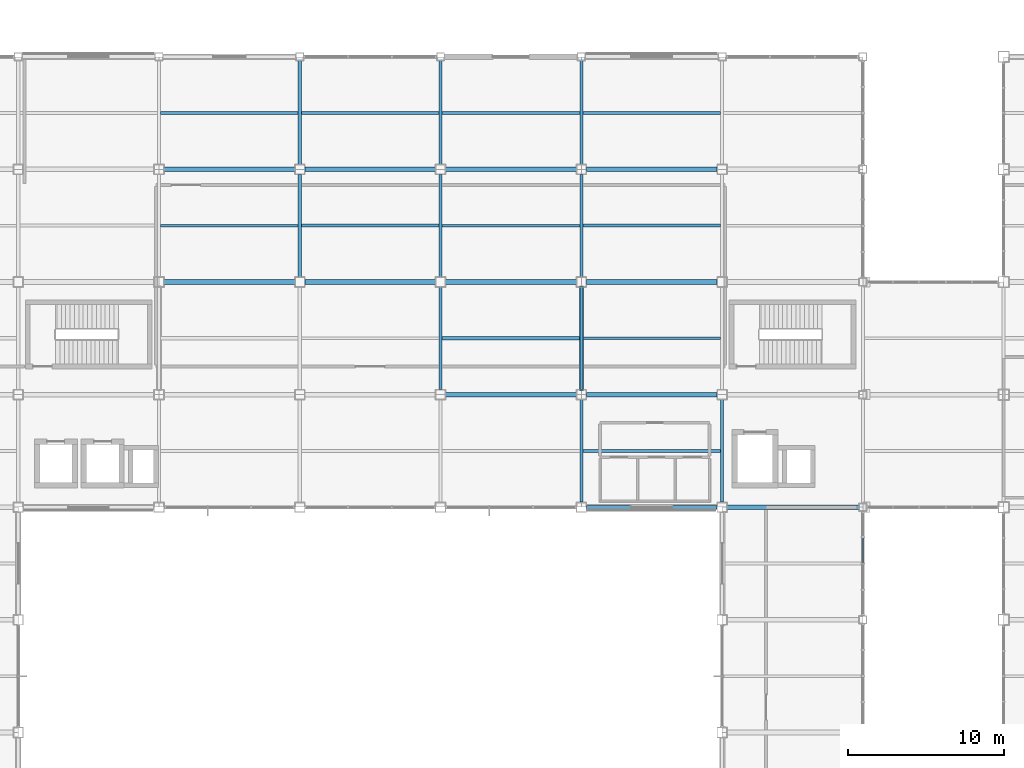
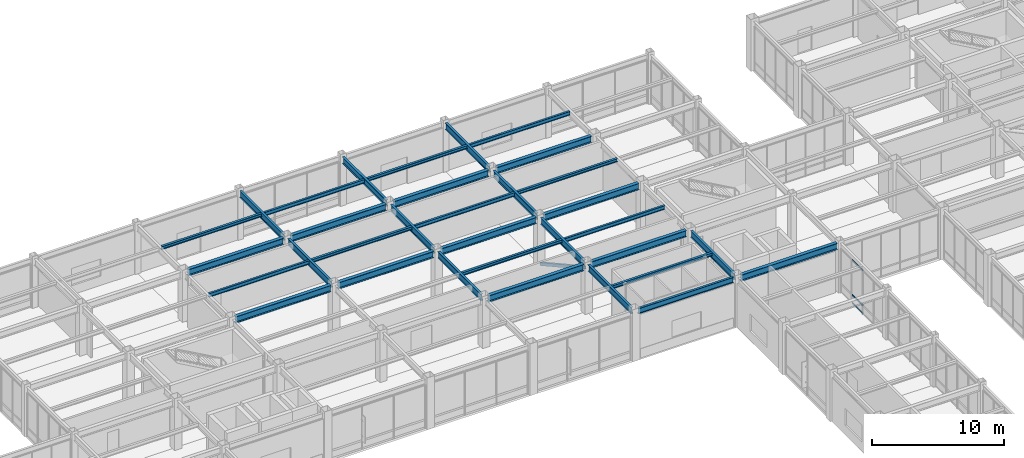
# One storey, part 61 of 112: 33 beams, 4 members, 1 element without a shape of its own.
"""IFC4 building model written with IfcOpenShell, lengths in metres."""

from ifc_helpers import new_model, si_unit, direction, frame, origin, origin_2d, place, context, subcontext, project, spatial, hollow_rectangle, i_section, extrude, material, material_profile, profile_set, type_object, element, aggregate, save


model = new_model("IFC4")

# Units and contexts
model_context = context("Model", 3, precision=1e-05, world=origin(), true_north=direction((0.0, 1.0)))
body_context = subcontext(model_context, "Body", "Model", "MODEL_VIEW")
ifc_project = project(units=[si_unit("LENGTHUNIT", "METRE"), si_unit("AREAUNIT", "SQUARE_METRE"), si_unit("VOLUMEUNIT", "CUBIC_METRE"), si_unit("PLANEANGLEUNIT", "RADIAN"), si_unit("MASSUNIT", "GRAM", prefix="KILO")], contexts=[model_context])

# Site, building, storey
site_placement = place(None, origin())
site = spatial("IfcSite", under=ifc_project, at=site_placement, CompositionType="ELEMENT")
building_placement = place(site_placement, origin())
building = spatial("IfcBuilding", under=site, at=building_placement, Name="Kazanami Central Library", CompositionType="ELEMENT")
storey_placement = place(building_placement, origin())
storey = spatial("IfcBuildingStorey", under=building, at=storey_placement, Name="L01", CompositionType="ELEMENT", Elevation=0.0)

# Beams
ifc_material_1 = material(Name="Steel SN400B (235 MPa)", Category="steel")
ifc_material_profile_1 = material_profile(ifc_material_1, i_section(OverallWidth=0.175048828125, OverallDepth=0.35009765625, WebThickness=0.007080078125, FlangeThickness=0.010986328125, at=origin_2d()), Name="H-350x175x7x11")
ifc_profile_set_1 = profile_set([ifc_material_profile_1], Name="Steel SN400B (235 MPa)")
beam_type_1 = type_object("IfcBeamType", Name="BM-B-S2", PredefinedType="JOIST", material=ifc_profile_set_1)
for number, where, z_axis, x_axis, name in (
    (1, (63.097900390625, 82.800048828125, 4.3798828125), (1.0, 0.0, 0.0), (0.0, 1.0, 0.0), "Composite Secondary Joist B-S2 L01 Bay 8/M.1"),
    (2, (72.097900390625, 90.0, 4.3798828125), (1.0, 0.0, 0.0), (0.0, 1.0, 0.0), "Composite Secondary Joist B-S2 L01 Bay 9/N.1"),
    (3, (81.097900390625, 82.800048828125, 4.3798828125), (1.0, 0.0, 0.0), (0.0, 1.0, 0.0), "Composite Secondary Joist B-S2 L01 Bay 10/M.1"),
    (4, (90.097900390625, 75.60009765625, 4.3798828125), (1.0, 0.0, 0.0), (0.0, 1.0, 0.0), "Composite Secondary Joist B-S2 L01 Bay 11/L.1"),
    (5, (90.097900390625, 90.0, 4.3798828125), (1.0, 0.0, 0.0), (0.0, 1.0, 0.0), "Composite Secondary Joist B-S2 L01 Bay 11/N.1"),
):
    element("IfcBeam", number, at=place(storey_placement, frame(where, z_axis=z_axis, x_axis=x_axis)), inside=storey, type_object=beam_type_1, Name=name, PredefinedType="JOIST", context=body_context, shape_type="SweptSolid", body=[
        extrude(i_section(OverallWidth=0.175048828125, OverallDepth=0.35009765625, WebThickness=0.007080078125, FlangeThickness=0.010986328125, at=origin_2d()), origin(), (0.0, 0.0, 1.0), 8.80419921875),
    ])
ifc_material_profile_2 = material_profile(ifc_material_1, i_section(OverallWidth=0.199951171875, OverallDepth=0.2939453125, WebThickness=0.008056640625, FlangeThickness=0.011962890625, at=origin_2d()), Name="H-294x200x8x12")
ifc_profile_set_2 = profile_set([ifc_material_profile_2], Name="Steel SN400B (235 MPa)")
beam_type_2 = type_object("IfcBeamType", Name="BM-B-S5", PredefinedType="JOIST", material=ifc_profile_set_2)
for number, where, z_axis, x_axis, name in (
    (6, (63.097900390625, 90.0, 4.407958984375), (1.0, 0.0, 0.0), (0.0, 1.0, 0.0), "Composite Secondary Joist B-S5 L01 Bay 8/N.1"),
    (7, (72.097900390625, 82.800048828125, 4.407958984375), (1.0, 0.0, 0.0), (0.0, 1.0, 0.0), "Composite Secondary Joist B-S5 L01 Bay 9/M.1"),
    (8, (81.097900390625, 75.60009765625, 4.407958984375), (1.0, 0.0, 0.0), (0.0, 1.0, 0.0), "Composite Secondary Joist B-S5 L01 Bay 10/L.1"),
    (9, (81.097900390625, 90.0, 4.407958984375), (1.0, 0.0, 0.0), (0.0, 1.0, 0.0), "Composite Secondary Joist B-S5 L01 Bay 10/N.1"),
    (10, (90.097900390625, 68.39990234375, 4.407958984375), (1.0, 0.0, 0.0), (0.0, 1.0, 0.0), "Composite Secondary Joist B-S5 L01 Bay 11/K.1"),
    (11, (90.097900390625, 82.800048828125, 4.407958984375), (1.0, 0.0, 0.0), (0.0, 1.0, 0.0), "Composite Secondary Joist B-S5 L01 Bay 11/M.1"),
):
    element("IfcBeam", number, at=place(storey_placement, frame(where, z_axis=z_axis, x_axis=x_axis)), inside=storey, type_object=beam_type_2, Name=name, PredefinedType="JOIST", context=body_context, shape_type="SweptSolid", body=[
        extrude(i_section(OverallWidth=0.199951171875, OverallDepth=0.2939453125, WebThickness=0.008056640625, FlangeThickness=0.011962890625, at=origin_2d()), origin(), (0.0, 0.0, 1.0), 8.80419921875),
    ])
ifc_material_2 = material(Name="Steel SN490B (325 MPa)", Category="steel")
ifc_material_profile_3 = material_profile(ifc_material_2, i_section(OverallWidth=0.300048828125, OverallDepth=0.60009765625, WebThickness=0.011962890625, FlangeThickness=0.02001953125, at=origin_2d()), Name="H-600x300x12x20")
ifc_profile_set_3 = profile_set([ifc_material_profile_3], Name="Steel SN490B (325 MPa)")
beam_type_3 = type_object("IfcBeamType", Name="BM-G-X1", PredefinedType="BEAM", material=ifc_profile_set_3)
beam_1_placement = place(storey_placement, frame((99.322998046875, 64.800048828125, 4.2548828125), z_axis=(1.0, 0.0, 0.0), x_axis=(0.0, 1.0, 0.0)))
element("IfcBeam", 12, at=beam_1_placement, inside=storey, type_object=beam_type_3, Name="Girder G-X1 L01 K/12-13", PredefinedType="BEAM", context=body_context, shape_type="SweptSolid", body=[
    extrude(i_section(OverallWidth=0.300048828125, OverallDepth=0.60009765625, WebThickness=0.011962890625, FlangeThickness=0.02001953125, at=origin_2d()), origin(), (0.0, 0.0, 1.0), 8.428955078125),
])
for number, where, z_axis, x_axis, name in (
    (13, (81.322998046875, 72.0, 4.2548828125), (1.0, 0.0, 0.0), (0.0, 1.0, 0.0), "Girder G-X1 L01 L/10-11"),
    (14, (90.322998046875, 72.0, 4.2548828125), (1.0, 0.0, 0.0), (0.0, 1.0, 0.0), "Girder G-X1 L01 L/11-12"),
    (15, (63.322998046875, 79.199951171875, 4.2548828125), (1.0, 0.0, 0.0), (0.0, 1.0, 0.0), "Girder G-X1 L01 M/8-9"),
    (16, (72.322998046875, 79.199951171875, 4.2548828125), (1.0, 0.0, 0.0), (0.0, 1.0, 0.0), "Girder G-X1 L01 M/9-10"),
    (17, (81.322998046875, 79.199951171875, 4.2548828125), (1.0, 0.0, 0.0), (0.0, 1.0, 0.0), "Girder G-X1 L01 M/10-11"),
    (18, (90.322998046875, 79.199951171875, 4.2548828125), (1.0, 0.0, 0.0), (0.0, 1.0, 0.0), "Girder G-X1 L01 M/11-12"),
    (19, (63.322998046875, 86.39990234375, 4.2548828125), (1.0, 0.0, 0.0), (0.0, 1.0, 0.0), "Girder G-X1 L01 N/8-9"),
    (20, (72.322998046875, 86.39990234375, 4.2548828125), (1.0, 0.0, 0.0), (0.0, 1.0, 0.0), "Girder G-X1 L01 N/9-10"),
    (21, (81.322998046875, 86.39990234375, 4.2548828125), (1.0, 0.0, 0.0), (0.0, 1.0, 0.0), "Girder G-X1 L01 N/10-11"),
    (22, (90.322998046875, 86.39990234375, 4.2548828125), (1.0, 0.0, 0.0), (0.0, 1.0, 0.0), "Girder G-X1 L01 N/11-12"),
):
    element("IfcBeam", number, at=place(storey_placement, frame(where, z_axis=z_axis, x_axis=x_axis)), inside=storey, type_object=beam_type_3, Name=name, PredefinedType="BEAM", context=body_context, shape_type="SweptSolid", body=[
        extrude(i_section(OverallWidth=0.300048828125, OverallDepth=0.60009765625, WebThickness=0.011962890625, FlangeThickness=0.02001953125, at=origin_2d()), origin(), (0.0, 0.0, 1.0), 8.35400390625),
    ])
ifc_material_profile_4 = material_profile(ifc_material_2, i_section(OverallWidth=0.199951171875, OverallDepth=0.60009765625, WebThickness=0.010986328125, FlangeThickness=0.01708984375, at=origin_2d()), Name="H-600x200x11x17")
ifc_profile_set_4 = profile_set([ifc_material_profile_4], Name="Steel SN490B (325 MPa)")
beam_type_4 = type_object("IfcBeamType", Name="BM-G-Y1", PredefinedType="BEAM", material=ifc_profile_set_4)
beam_2_placement = place(storey_placement, frame((72.0, 79.52294921875, 4.2548828125), z_axis=(0.0, 1.0, 0.0), x_axis=(-1.0, 0.0, 0.0)))
element("IfcBeam", 23, at=beam_2_placement, inside=storey, type_object=beam_type_4, Name="Girder G-Y1 L01 9/M-N", PredefinedType="BEAM", context=body_context, shape_type="SweptSolid", body=[
    extrude(i_section(OverallWidth=0.199951171875, OverallDepth=0.60009765625, WebThickness=0.010986328125, FlangeThickness=0.01708984375, at=origin_2d()), origin(), (0.0, 0.0, 1.0), 6.553955078125),
])
beam_3_placement = place(storey_placement, frame((72.0, 86.722900390625, 4.2548828125), z_axis=(0.0, 1.0, 0.0), x_axis=(-1.0, 0.0, 0.0)))
element("IfcBeam", 24, at=beam_3_placement, inside=storey, type_object=beam_type_4, Name="Girder G-Y1 L01 9/N-O", PredefinedType="BEAM", context=body_context, shape_type="SweptSolid", body=[
    extrude(i_section(OverallWidth=0.199951171875, OverallDepth=0.60009765625, WebThickness=0.010986328125, FlangeThickness=0.01708984375, at=origin_2d()), origin(), (0.0, 0.0, 1.0), 6.629150390625),
])
for number, where, z_axis, x_axis, name in (
    (25, (81.0, 72.322998046875, 4.2548828125), (0.0, 1.0, 0.0), (-1.0, 0.0, 0.0), "Girder G-Y1 L01 10/L-M"),
    (26, (81.0, 79.52294921875, 4.2548828125), (0.0, 1.0, 0.0), (-1.0, 0.0, 0.0), "Girder G-Y1 L01 10/M-N"),
):
    element("IfcBeam", number, at=place(storey_placement, frame(where, z_axis=z_axis, x_axis=x_axis)), inside=storey, type_object=beam_type_4, Name=name, PredefinedType="BEAM", context=body_context, shape_type="SweptSolid", body=[
        extrude(i_section(OverallWidth=0.199951171875, OverallDepth=0.60009765625, WebThickness=0.010986328125, FlangeThickness=0.01708984375, at=origin_2d()), origin(), (0.0, 0.0, 1.0), 6.553955078125),
    ])
beam_4_placement = place(storey_placement, frame((81.0, 86.722900390625, 4.2548828125), z_axis=(0.0, 1.0, 0.0), x_axis=(-1.0, 0.0, 0.0)))
element("IfcBeam", 27, at=beam_4_placement, inside=storey, type_object=beam_type_4, Name="Girder G-Y1 L01 10/N-O", PredefinedType="BEAM", context=body_context, shape_type="SweptSolid", body=[
    extrude(i_section(OverallWidth=0.199951171875, OverallDepth=0.60009765625, WebThickness=0.010986328125, FlangeThickness=0.01708984375, at=origin_2d()), origin(), (0.0, 0.0, 1.0), 6.629150390625),
])
for number, where, z_axis, x_axis, name in (
    (28, (90.0, 65.123046875, 4.2548828125), (0.0, 1.0, 0.0), (-1.0, 0.0, 0.0), "Girder G-Y1 L01 11/K-L"),
    (29, (90.0, 72.322998046875, 4.2548828125), (0.0, 1.0, 0.0), (-1.0, 0.0, 0.0), "Girder G-Y1 L01 11/L-M"),
    (30, (90.0, 79.52294921875, 4.2548828125), (0.0, 1.0, 0.0), (-1.0, 0.0, 0.0), "Girder G-Y1 L01 11/M-N"),
):
    element("IfcBeam", number, at=place(storey_placement, frame(where, z_axis=z_axis, x_axis=x_axis)), inside=storey, type_object=beam_type_4, Name=name, PredefinedType="BEAM", context=body_context, shape_type="SweptSolid", body=[
        extrude(i_section(OverallWidth=0.199951171875, OverallDepth=0.60009765625, WebThickness=0.010986328125, FlangeThickness=0.01708984375, at=origin_2d()), origin(), (0.0, 0.0, 1.0), 6.553955078125),
    ])
beam_5_placement = place(storey_placement, frame((90.0, 86.722900390625, 4.2548828125), z_axis=(0.0, 1.0, 0.0), x_axis=(-1.0, 0.0, 0.0)))
element("IfcBeam", 31, at=beam_5_placement, inside=storey, type_object=beam_type_4, Name="Girder G-Y1 L01 11/N-O", PredefinedType="BEAM", context=body_context, shape_type="SweptSolid", body=[
    extrude(i_section(OverallWidth=0.199951171875, OverallDepth=0.60009765625, WebThickness=0.010986328125, FlangeThickness=0.01708984375, at=origin_2d()), origin(), (0.0, 0.0, 1.0), 6.629150390625),
])
beam_6_placement = place(storey_placement, frame((99.0, 65.123046875, 4.2548828125), z_axis=(0.0, 1.0, 0.0), x_axis=(-1.0, 0.0, 0.0)))
element("IfcBeam", 32, at=beam_6_placement, inside=storey, type_object=beam_type_4, Name="Girder G-Y1 L01 12/K-L", PredefinedType="BEAM", context=body_context, shape_type="SweptSolid", body=[
    extrude(i_section(OverallWidth=0.199951171875, OverallDepth=0.60009765625, WebThickness=0.010986328125, FlangeThickness=0.01708984375, at=origin_2d()), origin(), (0.0, 0.0, 1.0), 6.553955078125),
])
ifc_material_profile_5 = material_profile(ifc_material_2, i_section(OverallWidth=0.199951171875, OverallDepth=0.5, WebThickness=0.010009765625, FlangeThickness=0.01611328125, at=origin_2d()), Name="H-500x200x10x16")
ifc_profile_set_5 = profile_set([ifc_material_profile_5], Name="Steel SN490B (325 MPa)")
beam_type_5 = type_object("IfcBeamType", Name="BM-SP-1", PredefinedType="SPANDREL", material=ifc_profile_set_5)
beam_7_placement = place(storey_placement, frame((90.322998046875, 64.800048828125, 4.304931640625), z_axis=(1.0, 0.0, 0.0), x_axis=(0.0, 1.0, 0.0)))
element("IfcBeam", 33, at=beam_7_placement, inside=storey, type_object=beam_type_5, Name="Girder SP-1 L01 K/11-12", PredefinedType="SPANDREL", context=body_context, shape_type="SweptSolid", body=[
    extrude(i_section(OverallWidth=0.199951171875, OverallDepth=0.5, WebThickness=0.010009765625, FlangeThickness=0.01611328125, at=origin_2d()), origin(), (0.0, 0.0, 1.0), 8.35400390625),
])

# Member
ifc_material_3 = material(Name="Steel STK490 (315 MPa)", Category="steel")
ifc_material_profile_6 = material_profile(ifc_material_3, hollow_rectangle(XDim=0.25, YDim=0.25, WallThickness=0.011962890625, at=origin_2d()), Name="STKR-250x250x12")
ifc_profile_set_6 = profile_set([ifc_material_profile_6], Name="Steel STK490 (315 MPa)")
member_type_1 = type_object("IfcMemberType", Name="MEM-BR-07", PredefinedType="BRACE", material=ifc_profile_set_6)
member_1_placement = place(storey_placement, frame((90.0, 78.875, 0.25), z_axis=(0.0, -0.874945269019, 0.484221825428), x_axis=(1.0, 0.0, 0.0)))
element("IfcMember", 34, at=member_1_placement, inside=storey, type_object=member_type_1, Name="Concentric Steel Brace BR-07 L01 BF-V1B", PredefinedType="BRACE", context=body_context, shape_type="SweptSolid", body=[
    extrude(hollow_rectangle(XDim=0.25, YDim=0.25, WallThickness=0.011962890625, at=origin_2d()), origin(), (0.0, 0.0, 1.0), 7.486328125),
])

# Curtain wall, members
ifc_material_4 = material(Name="Acid-Etched Low-E Laminated Glass", Category="glass")
curtain_wall_type = type_object("IfcCurtainWallType", Name="CW-6700x4055-M180", PredefinedType="USERDEFINED", material=ifc_material_4)
curtain_wall_placement = place(storey_placement, origin())
curtain_wall = element("IfcCurtainWall", 35, at=curtain_wall_placement, inside=storey, type_object=curtain_wall_type, Name="Covered Link Bridge Curtain Wall CW-09 L01 E-13-08", ObjectType="UNITISED CURTAIN WALL", PredefinedType="USERDEFINED")
ifc_material_5 = material(Name="Anodised Aluminium A6063-T5", Category="aluminium")
ifc_material_profile_7 = material_profile(ifc_material_5, hollow_rectangle(XDim=0.070068359375, YDim=0.159912109375, WallThickness=0.00390625, at=origin_2d()), Name="ALU-TRAN-70x160x4")
ifc_profile_set_7 = profile_set([ifc_material_profile_7], Name="Anodised Aluminium A6063-T5")
member_type_2 = type_object("IfcMemberType", Name="MEM-CW-T1", PredefinedType="USERDEFINED", material=ifc_profile_set_7)
member_2_placement = place(storey_placement, frame((108.0, 62.840087890625, 0.034912109375), z_axis=(0.0, -1.0, 0.0), x_axis=(1.0, 0.0, 0.0)))
member_2 = element("IfcMember", 36, at=member_2_placement, type_object=member_type_2, Name="CW-09 transom 2.1", ObjectType="TRANSOM", PredefinedType="USERDEFINED", context=body_context, shape_type="SweptSolid", body=[
    extrude(hollow_rectangle(XDim=0.070068359375, YDim=0.159912109375, WallThickness=0.00390625, at=origin_2d()), origin(), (0.0, 0.0, 1.0), 1.60498046875),
])
member_3_placement = place(storey_placement, frame((108.0, 62.840087890625, 0.780029296875), z_axis=(0.0, -1.0, 0.0), x_axis=(1.0, 0.0, 0.0)))
member_3 = element("IfcMember", 37, at=member_3_placement, type_object=member_type_2, Name="CW-09 transom 2.2", ObjectType="TRANSOM", PredefinedType="USERDEFINED", context=body_context, shape_type="SweptSolid", body=[
    extrude(hollow_rectangle(XDim=0.070068359375, YDim=0.159912109375, WallThickness=0.00390625, at=origin_2d()), origin(), (0.0, 0.0, 1.0), 1.60498046875),
])
member_4_placement = place(storey_placement, frame((108.0, 62.840087890625, 4.02001953125), z_axis=(0.0, -1.0, 0.0), x_axis=(1.0, 0.0, 0.0)))
member_4 = element("IfcMember", 38, at=member_4_placement, type_object=member_type_2, Name="CW-09 transom 2.3", ObjectType="TRANSOM", PredefinedType="USERDEFINED", context=body_context, shape_type="SweptSolid", body=[
    extrude(hollow_rectangle(XDim=0.070068359375, YDim=0.159912109375, WallThickness=0.00390625, at=origin_2d()), origin(), (0.0, 0.0, 1.0), 1.60498046875),
])
aggregate(curtain_wall, [member_2, member_3, member_4])

save(model, "model.ifc")
